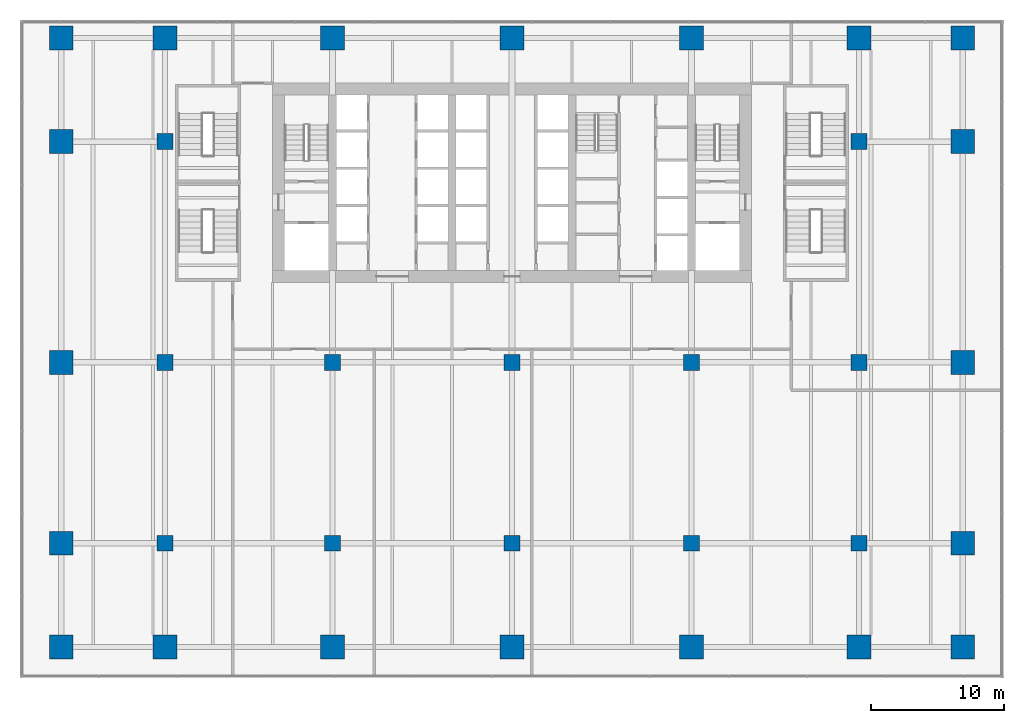
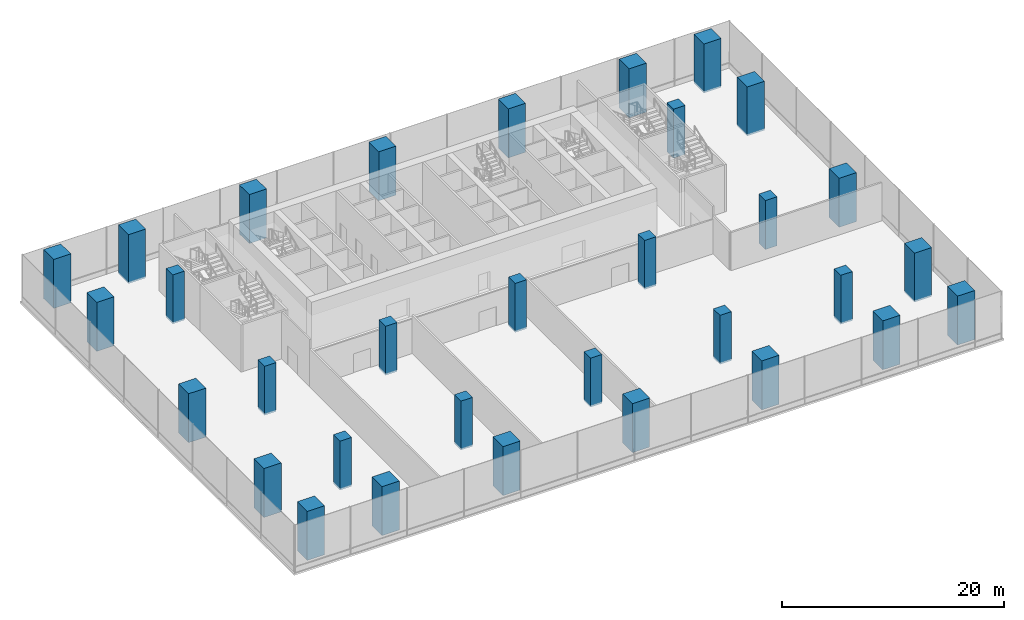
# One storey, part 1 of 26: 32 columns.
"""IFC4 building model written with IfcOpenShell, lengths in metres."""

from ifc_helpers import new_model, si_unit, direction, frame, origin, origin_2d, place, context, subcontext, project, spatial, rectangle, extrude, material, material_profile, profile_set, type_object, element, save


model = new_model("IFC4")

# Units and contexts
model_context = context("Model", 3, precision=1e-05, world=origin(), true_north=direction((0.0, 1.0)))
body_context = subcontext(model_context, "Body", "Model", "MODEL_VIEW")
ifc_project = project(units=[si_unit("LENGTHUNIT", "METRE"), si_unit("AREAUNIT", "SQUARE_METRE"), si_unit("VOLUMEUNIT", "CUBIC_METRE"), si_unit("PLANEANGLEUNIT", "RADIAN"), si_unit("MASSUNIT", "GRAM", prefix="KILO")], contexts=[model_context])

# Site, building, storey
site_placement = place(None, origin())
site = spatial("IfcSite", under=ifc_project, at=site_placement, CompositionType="ELEMENT")
building_placement = place(site_placement, origin())
building = spatial("IfcBuilding", under=site, at=building_placement, Name="Rattan Terrace Tower", CompositionType="ELEMENT")
storey_placement = place(building_placement, frame((0.0, 0.0, 7.199951171875)))
storey = spatial("IfcBuildingStorey", under=building, at=storey_placement, Name="L01", CompositionType="ELEMENT", Elevation=7.199951171875)

# Columns
ifc_material_1 = material(Name="Concrete C60/75", Category="concrete")
ifc_material_profile_1 = material_profile(ifc_material_1, rectangle(XDim=1.800048828125, YDim=1.800048828125, at=origin_2d()), Name="CFT 1800x1800")
ifc_profile_set_1 = profile_set([ifc_material_profile_1], Name="Concrete C60/75")
column_type_1 = type_object("IfcColumnType", Name="Frame exoskeleton column CFT 1800x1800", PredefinedType="COLUMN", material=ifc_profile_set_1)
for number, where, z_axis, x_axis, name in (
    (1, (-33.89990234375, -34.89990234375, -0.199951171875), (0.0, 0.0, 1.0), (1.0, 0.0, 0.0), "exo-L01-001"),
    (2, (33.89990234375, -34.89990234375, -0.199951171875), (0.0, 0.0, 1.0), (1.0, 0.0, 0.0), "exo-L01-002"),
    (3, (-33.89990234375, 10.89990234375, -0.199951171875), (0.0, 0.0, 1.0), (1.0, 0.0, 0.0), "exo-L01-003"),
    (4, (33.89990234375, 10.89990234375, -0.199951171875), (0.0, 0.0, 1.0), (1.0, 0.0, 0.0), "exo-L01-004"),
    (5, (-26.10009765625, -34.89990234375, -0.199951171875), (0.0, 0.0, 1.0), (1.0, 0.0, 0.0), "exo-L01-005"),
    (6, (-13.5, -34.89990234375, -0.199951171875), (0.0, 0.0, 1.0), (1.0, 0.0, 0.0), "exo-L01-006"),
    (7, (0.0, -34.89990234375, -0.199951171875), (0.0, 0.0, 1.0), (1.0, 0.0, 0.0), "exo-L01-007"),
    (8, (13.5, -34.89990234375, -0.199951171875), (0.0, 0.0, 1.0), (1.0, 0.0, 0.0), "exo-L01-008"),
    (9, (26.10009765625, -34.89990234375, -0.199951171875), (0.0, 0.0, 1.0), (1.0, 0.0, 0.0), "exo-L01-009"),
    (10, (-33.89990234375, -27.10009765625, -0.199951171875), (0.0, 0.0, 1.0), (0.0, 1.0, 0.0), "exo-L01-010"),
    (11, (33.89990234375, -27.10009765625, -0.199951171875), (0.0, 0.0, 1.0), (0.0, 1.0, 0.0), "exo-L01-011"),
    (12, (-33.89990234375, -13.5, -0.199951171875), (0.0, 0.0, 1.0), (0.0, 1.0, 0.0), "exo-L01-012"),
    (13, (33.89990234375, -13.5, -0.199951171875), (0.0, 0.0, 1.0), (0.0, 1.0, 0.0), "exo-L01-013"),
    (14, (-33.89990234375, 3.10009765625, -0.199951171875), (0.0, 0.0, 1.0), (0.0, 1.0, 0.0), "exo-L01-014"),
    (15, (33.89990234375, 3.10009765625, -0.199951171875), (0.0, 0.0, 1.0), (0.0, 1.0, 0.0), "exo-L01-015"),
    (16, (-26.10009765625, 10.89990234375, -0.199951171875), (0.0, 0.0, 1.0), (1.0, 0.0, 0.0), "exo-L01-016"),
    (17, (-13.5, 10.89990234375, -0.199951171875), (0.0, 0.0, 1.0), (1.0, 0.0, 0.0), "exo-L01-017"),
    (18, (0.0, 10.89990234375, -0.199951171875), (0.0, 0.0, 1.0), (1.0, 0.0, 0.0), "exo-L01-018"),
    (19, (13.5, 10.89990234375, -0.199951171875), (0.0, 0.0, 1.0), (1.0, 0.0, 0.0), "exo-L01-019"),
    (20, (26.10009765625, 10.89990234375, -0.199951171875), (0.0, 0.0, 1.0), (1.0, 0.0, 0.0), "exo-L01-020"),
):
    element("IfcColumn", number, at=place(storey_placement, frame(where, z_axis=z_axis, x_axis=x_axis)), inside=storey, type_object=column_type_1, Name=name, PredefinedType="COLUMN", context=body_context, shape_type="SweptSolid", body=[
        extrude(rectangle(XDim=1.800048828125, YDim=1.800048828125, at=origin_2d()), origin(), (0.0, 0.0, 1.0), 5.39990234375),
    ])
ifc_material_2 = material(Name="Concrete C60/75", Category="concrete")
ifc_material_profile_2 = material_profile(ifc_material_2, rectangle(XDim=1.199951171875, YDim=1.199951171875, at=origin_2d()), Name="RC 1200x1200")
ifc_profile_set_2 = profile_set([ifc_material_profile_2], Name="Concrete C60/75")
column_type_2 = type_object("IfcColumnType", Name="Frame interior column RC 1200x1200", PredefinedType="COLUMN", material=ifc_profile_set_2)
for number, where, z_axis, x_axis, name in (
    (21, (-26.10009765625, -27.10009765625, -0.199951171875), (0.0, 0.0, 1.0), (1.0, 0.0, 0.0), "col-L01-001"),
    (22, (-13.5, -27.10009765625, -0.199951171875), (0.0, 0.0, 1.0), (1.0, 0.0, 0.0), "col-L01-002"),
    (23, (0.0, -27.10009765625, -0.199951171875), (0.0, 0.0, 1.0), (1.0, 0.0, 0.0), "col-L01-003"),
    (24, (13.5, -27.10009765625, -0.199951171875), (0.0, 0.0, 1.0), (1.0, 0.0, 0.0), "col-L01-004"),
    (25, (26.10009765625, -27.10009765625, -0.199951171875), (0.0, 0.0, 1.0), (1.0, 0.0, 0.0), "col-L01-005"),
    (26, (-26.10009765625, -13.5, -0.199951171875), (0.0, 0.0, 1.0), (1.0, 0.0, 0.0), "col-L01-006"),
    (27, (-13.5, -13.5, -0.199951171875), (0.0, 0.0, 1.0), (1.0, 0.0, 0.0), "col-L01-007"),
    (28, (0.0, -13.5, -0.199951171875), (0.0, 0.0, 1.0), (1.0, 0.0, 0.0), "col-L01-008"),
    (29, (13.5, -13.5, -0.199951171875), (0.0, 0.0, 1.0), (1.0, 0.0, 0.0), "col-L01-009"),
    (30, (26.10009765625, -13.5, -0.199951171875), (0.0, 0.0, 1.0), (1.0, 0.0, 0.0), "col-L01-010"),
    (31, (-26.10009765625, 3.10009765625, -0.199951171875), (0.0, 0.0, 1.0), (1.0, 0.0, 0.0), "col-L01-011"),
    (32, (26.10009765625, 3.10009765625, -0.199951171875), (0.0, 0.0, 1.0), (1.0, 0.0, 0.0), "col-L01-012"),
):
    element("IfcColumn", number, at=place(storey_placement, frame(where, z_axis=z_axis, x_axis=x_axis)), inside=storey, type_object=column_type_2, Name=name, PredefinedType="COLUMN", context=body_context, shape_type="SweptSolid", body=[
        extrude(rectangle(XDim=1.199951171875, YDim=1.199951171875, at=origin_2d()), origin(), (0.0, 0.0, 1.0), 5.39990234375),
    ])

save(model, "model.ifc")
